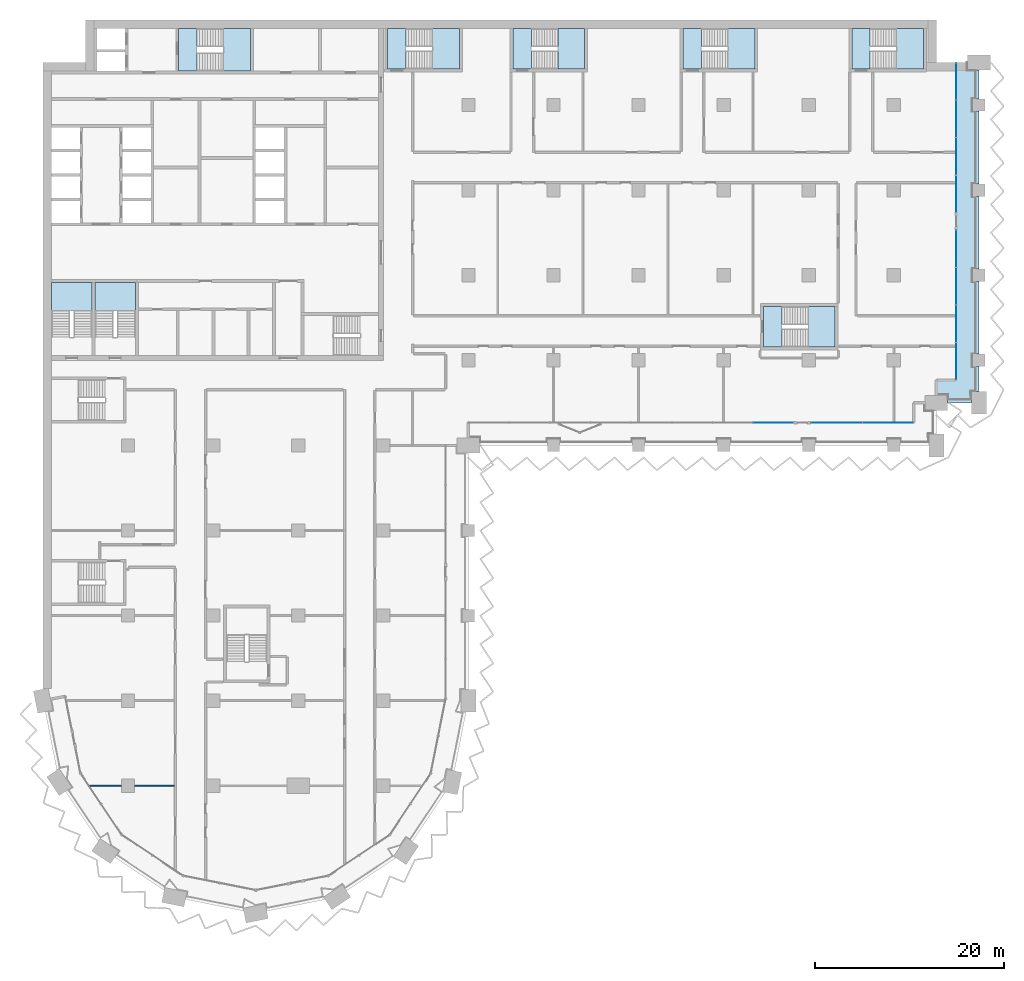
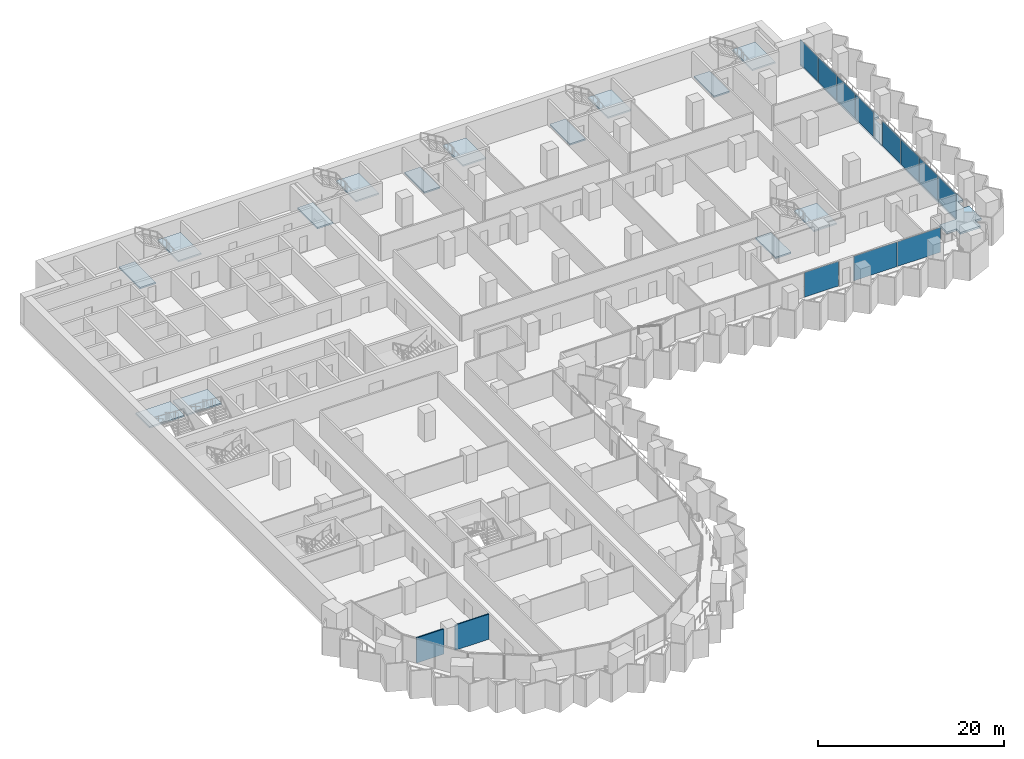
# One storey, part 9 of 28: 15 slabs, 11 plates, 2 walls, 12 elements without a shape of their own.
"""IFC4 building model written with IfcOpenShell, lengths in metres."""

from ifc_helpers import new_model, si_unit, direction, frame, frame_2d, origin, origin_2d, place, context, subcontext, project, spatial, polyline, rectangle, outline, extrude, material, layer, layer_set, type_object, element, aggregate, save


model = new_model("IFC4")

# Units and contexts
model_context = context("Model", 3, precision=1e-05, world=origin(), true_north=direction((0.0, 1.0)))
body_context = subcontext(model_context, "Body", "Model", "MODEL_VIEW")
ifc_project = project(units=[si_unit("LENGTHUNIT", "METRE"), si_unit("AREAUNIT", "SQUARE_METRE"), si_unit("VOLUMEUNIT", "CUBIC_METRE"), si_unit("PLANEANGLEUNIT", "RADIAN"), si_unit("MASSUNIT", "GRAM", prefix="KILO")], contexts=[model_context])

# Site, building, storey
site_placement = place(None, origin())
site = spatial("IfcSite", under=ifc_project, at=site_placement, CompositionType="ELEMENT")
building_placement = place(site_placement, origin())
building = spatial("IfcBuilding", under=site, at=building_placement, Name="Hunhe Ridgeline Campus", CompositionType="ELEMENT")
storey_placement = place(building_placement, frame((0.0, 0.0, 35.800048828125)))
storey = spatial("IfcBuildingStorey", under=building, at=storey_placement, Name="L07", CompositionType="ELEMENT", Elevation=35.800048828125)

# Curtain wall, plate
ifc_material_1 = material(Name="Aluminium 6063", Category="aluminium")
curtain_wall_type = type_object("IfcCurtainWallType", Name="Curtain wall CW-1", PredefinedType="NOTDEFINED", material=ifc_material_1)
curtain_wall_1_placement = place(storey_placement, origin())
curtain_wall_1 = element("IfcCurtainWall", 1, at=curtain_wall_1_placement, inside=storey, type_object=curtain_wall_type, Name="Curtain wall 13", PredefinedType="NOTDEFINED")
ifc_material_2 = material(Name="Low-e laminated glass", Category="glass")
ifc_layer_1 = layer(ifc_material_2, 0.028076171875)
ifc_layer_set_1 = layer_set([ifc_layer_1], Name="Curtain wall glass panel 28 low-e laminated")
plate_type = type_object("IfcPlateType", Name="Curtain wall glass panel 28 low-e laminated", PredefinedType="CURTAIN_PANEL", material=ifc_layer_set_1)
plate_1_placement = place(storey_placement, frame((77.257568359375, 56.40087890625, 0.0), z_axis=(0.0, 0.0, 1.0), x_axis=(0.999999999994, 3.602063e-06, 0.0)))
plate_1 = element("IfcPlate", 2, at=plate_1_placement, type_object=plate_type, Name="CW-1 panel 8", PredefinedType="CURTAIN_PANEL", context=body_context, shape_type="SweptSolid", body=[
    extrude(rectangle(XDim=4.213134765625, YDim=0.028076171875, at=origin_2d()), origin(), (0.0, 0.0, 1.0), 3.239990234375),
])
aggregate(curtain_wall_1, [plate_1])

# Curtain wall, plates
curtain_wall_2_placement = place(storey_placement, origin())
curtain_wall_2 = element("IfcCurtainWall", 3, at=curtain_wall_2_placement, inside=storey, type_object=curtain_wall_type, Name="Curtain wall 14", PredefinedType="NOTDEFINED")
plate_2_placement = place(storey_placement, frame((83.957763671875, 56.40087890625, 0.0), z_axis=(0.0, 0.0, 1.0), x_axis=(0.999999999994, 3.58625e-06, 0.0)))
plate_2 = element("IfcPlate", 4, at=plate_2_placement, type_object=plate_type, Name="CW-1 panel 1", PredefinedType="CURTAIN_PANEL", context=body_context, shape_type="SweptSolid", body=[
    extrude(rectangle(XDim=5.347412109375, YDim=0.028076171875, at=origin_2d()), origin(), (0.0, 0.0, 1.0), 3.239990234375),
])
plate_3_placement = place(storey_placement, frame((89.365234375, 56.40087890625, 0.0), z_axis=(0.0, 0.0, 1.0), x_axis=(0.999999999994, 3.58625e-06, 0.0)))
plate_3 = element("IfcPlate", 5, at=plate_3_placement, type_object=plate_type, Name="CW-1 panel 2", PredefinedType="CURTAIN_PANEL", context=body_context, shape_type="SweptSolid", body=[
    extrude(rectangle(XDim=5.347412109375, YDim=0.028076171875, at=origin_2d()), origin(), (0.0, 0.0, 1.0), 3.239990234375),
])
aggregate(curtain_wall_2, [plate_2, plate_3])

curtain_wall_3_placement = place(storey_placement, origin())
curtain_wall_3 = element("IfcCurtainWall", 6, at=curtain_wall_3_placement, inside=storey, type_object=curtain_wall_type, Name="Curtain wall 15", PredefinedType="NOTDEFINED")
plate_4_placement = place(storey_placement, frame((96.59912109375, 62.9033203125, 0.0), z_axis=(0.0, 0.0, 1.0), x_axis=(0.0, 1.0, 0.0)))
plate_4 = element("IfcPlate", 7, at=plate_4_placement, type_object=plate_type, Name="CW-1 panel 1", PredefinedType="CURTAIN_PANEL", context=body_context, shape_type="SweptSolid", body=[
    extrude(rectangle(XDim=3.884765625, YDim=0.028076171875, at=origin_2d()), origin(), (0.0, 0.0, 1.0), 3.239990234375),
])
plate_5_placement = place(storey_placement, frame((96.59912109375, 66.86328125, 0.0), z_axis=(0.0, 0.0, 1.0), x_axis=(0.0, 1.0, 0.0)))
plate_5 = element("IfcPlate", 8, at=plate_5_placement, type_object=plate_type, Name="CW-1 panel 2", PredefinedType="CURTAIN_PANEL", context=body_context, shape_type="SweptSolid", body=[
    extrude(rectangle(XDim=3.914794921875, YDim=0.028076171875, at=origin_2d()), origin(), (0.0, 0.0, 1.0), 3.239990234375),
])
plate_6_placement = place(storey_placement, frame((96.59912109375, 70.838134765625, 0.0), z_axis=(0.0, 0.0, 1.0), x_axis=(0.0, 1.0, 0.0)))
plate_6 = element("IfcPlate", 9, at=plate_6_placement, type_object=plate_type, Name="CW-1 panel 3", PredefinedType="CURTAIN_PANEL", context=body_context, shape_type="SweptSolid", body=[
    extrude(rectangle(XDim=3.914794921875, YDim=0.028076171875, at=origin_2d()), origin(), (0.0, 0.0, 1.0), 3.239990234375),
])
plate_7_placement = place(storey_placement, frame((96.59912109375, 74.798095703125, 0.0), z_axis=(0.0, 0.0, 1.0), x_axis=(0.0, 1.0, 0.0)))
plate_7 = element("IfcPlate", 10, at=plate_7_placement, type_object=plate_type, Name="CW-1 panel 4", PredefinedType="CURTAIN_PANEL", context=body_context, shape_type="SweptSolid", body=[
    extrude(rectangle(XDim=3.884765625, YDim=0.028076171875, at=origin_2d()), origin(), (0.0, 0.0, 1.0), 3.239990234375),
])
aggregate(curtain_wall_3, [plate_4, plate_5, plate_6, plate_7])

curtain_wall_4_placement = place(storey_placement, origin())
curtain_wall_4 = element("IfcCurtainWall", 11, at=curtain_wall_4_placement, inside=storey, type_object=curtain_wall_type, Name="Curtain wall 16", PredefinedType="NOTDEFINED")
plate_8_placement = place(storey_placement, frame((96.59912109375, 80.60302734375, 0.0), z_axis=(0.0, 0.0, 1.0), x_axis=(0.0, 1.0, 0.0)))
plate_8 = element("IfcPlate", 12, at=plate_8_placement, type_object=plate_type, Name="CW-1 panel 1", PredefinedType="CURTAIN_PANEL", context=body_context, shape_type="SweptSolid", body=[
    extrude(rectangle(XDim=3.884765625, YDim=0.028076171875, at=origin_2d()), origin(), (0.0, 0.0, 1.0), 3.239990234375),
])
plate_9_placement = place(storey_placement, frame((96.59912109375, 84.562744140625, 0.0), z_axis=(0.0, 0.0, 1.0), x_axis=(0.0, 1.0, 0.0)))
plate_9 = element("IfcPlate", 13, at=plate_9_placement, type_object=plate_type, Name="CW-1 panel 2", PredefinedType="CURTAIN_PANEL", context=body_context, shape_type="SweptSolid", body=[
    extrude(rectangle(XDim=3.914794921875, YDim=0.028076171875, at=origin_2d()), origin(), (0.0, 0.0, 1.0), 3.239990234375),
])
plate_10_placement = place(storey_placement, frame((96.59912109375, 88.53759765625, 0.0), z_axis=(0.0, 0.0, 1.0), x_axis=(0.0, 1.0, 0.0)))
plate_10 = element("IfcPlate", 14, at=plate_10_placement, type_object=plate_type, Name="CW-1 panel 3", PredefinedType="CURTAIN_PANEL", context=body_context, shape_type="SweptSolid", body=[
    extrude(rectangle(XDim=3.914794921875, YDim=0.028076171875, at=origin_2d()), origin(), (0.0, 0.0, 1.0), 3.239990234375),
])
plate_11_placement = place(storey_placement, frame((96.59912109375, 92.49755859375, 0.0), z_axis=(0.0, 0.0, 1.0), x_axis=(0.0, 1.0, 0.0)))
plate_11 = element("IfcPlate", 15, at=plate_11_placement, type_object=plate_type, Name="CW-1 panel 4", PredefinedType="CURTAIN_PANEL", context=body_context, shape_type="SweptSolid", body=[
    extrude(rectangle(XDim=3.884765625, YDim=0.028076171875, at=origin_2d()), origin(), (0.0, 0.0, 1.0), 3.239990234375),
])
aggregate(curtain_wall_4, [plate_8, plate_9, plate_10, plate_11])

# Slab
ifc_material_3 = material(Name="Concrete C40", Category="concrete")
ifc_layer_2 = layer(ifc_material_3, 0.25)
ifc_layer_set_2 = layer_set([ifc_layer_2], Name="Loggia slab 250 Concrete C40")
slab_type_1 = type_object("IfcSlabType", Name="Loggia slab 250 Concrete C40", PredefinedType="FLOOR", material=ifc_layer_set_2)
slab_1_placement = place(storey_placement, frame((0.0, 0.0, -0.25)))
element("IfcSlab", 16, at=slab_1_placement, inside=storey, type_object=slab_type_1, Name="Loggia slab 3", PredefinedType="FLOOR", context=body_context, shape_type="SweptSolid", body=[
    extrude(outline(polyline([(94.5, 59.300048828125), (95.699951171875, 59.300048828125), (95.699951171875, 58.5), (98.199951171875, 58.5), (98.199951171875, 59.699951171875), (99.0, 59.699951171875), (99.0, 62.35009765625), (98.35009765625, 62.35009765625), (98.35009765625, 63.64990234375), (99.0, 63.64990234375), (99.0, 71.35009765625), (98.35009765625, 71.35009765625), (98.35009765625, 72.64990234375), (99.0, 72.64990234375), (99.0, 80.35009765625), (98.35009765625, 80.35009765625), (98.35009765625, 81.64990234375), (99.0, 81.64990234375), (99.0, 89.35009765625), (98.35009765625, 89.35009765625), (98.35009765625, 90.64990234375), (99.0, 90.64990234375), (99.0, 93.699951171875), (97.800048828125, 93.699951171875), (97.800048828125, 94.5), (96.60009765625, 94.5), (96.60009765625, 60.89990234375), (94.5, 60.89990234375), (94.5, 59.300048828125)])), origin(), (0.0, 0.0, 1.0), 0.25),
])

# Stair, slab
stair_type = type_object("IfcStairType", Name="Reinforced concrete dog-leg stair 1950 Concrete C40", PredefinedType="HALF_TURN_STAIR", material=ifc_material_3)
stair_1_placement = place(storey_placement, origin())
stair_1 = element("IfcStair", 17, at=stair_1_placement, inside=storey, type_object=stair_type, Name="L07 S1", PredefinedType="HALF_TURN_STAIR")
ifc_layer_3 = layer(ifc_material_3, 0.199951171875)
ifc_layer_set_3 = layer_set([ifc_layer_3], Name="Reinforced concrete stair landing 200 Concrete C40")
slab_type_2 = type_object("IfcSlabType", Name="Reinforced concrete stair landing 200 Concrete C40", PredefinedType="LANDING", material=ifc_layer_set_3)
slab_2_placement = place(storey_placement, frame((0.0, 0.0, 1.64990234375)))
slab_2 = element("IfcSlab", 18, at=slab_2_placement, type_object=slab_type_2, Name="ST1 landing 1", PredefinedType="LANDING", context=body_context, shape_type="SweptSolid", body=[
    extrude(outline(polyline([(19.10009765625, 93.60009765625), (21.949951171875, 93.60009765625), (21.949951171875, 98.10009765625), (19.10009765625, 98.10009765625), (19.10009765625, 93.60009765625)])), origin(), (0.0, 0.0, 1.0), 0.199951171875),
])
aggregate(stair_1, [slab_2])

# Slab
slab_3_placement = place(storey_placement, frame((0.0, 0.0, -0.199951171875)))
element("IfcSlab", 19, at=slab_3_placement, inside=storey, type_object=slab_type_2, Name="L07 stair S1 floor landing", PredefinedType="LANDING", context=body_context, shape_type="SweptSolid", body=[
    extrude(outline(polyline([(14.35009765625, 93.60009765625), (16.300048828125, 93.60009765625), (16.300048828125, 98.10009765625), (14.35009765625, 98.10009765625), (14.35009765625, 93.60009765625)])), origin(), (0.0, 0.0, 1.0), 0.199951171875),
])

# Stair, slab
stair_2_placement = place(storey_placement, origin())
stair_2 = element("IfcStair", 20, at=stair_2_placement, inside=storey, type_object=stair_type, Name="L07 S3", PredefinedType="HALF_TURN_STAIR")
slab_4_placement = place(storey_placement, frame((0.0, 0.0, 1.64990234375)))
slab_4 = element("IfcSlab", 21, at=slab_4_placement, type_object=slab_type_2, Name="ST3 landing 1", PredefinedType="LANDING", context=body_context, shape_type="SweptSolid", body=[
    extrude(outline(polyline([(5.199951171875, 68.25), (5.199951171875, 71.25), (0.89990234375, 71.25), (0.89990234375, 68.25), (5.199951171875, 68.25)])), origin(), (0.0, 0.0, 1.0), 0.199951171875),
])
aggregate(stair_2, [slab_4])

stair_3_placement = place(storey_placement, origin())
stair_3 = element("IfcStair", 22, at=stair_3_placement, inside=storey, type_object=stair_type, Name="L07 S4", PredefinedType="HALF_TURN_STAIR")
slab_5_placement = place(storey_placement, frame((0.0, 0.0, 1.64990234375)))
slab_5 = element("IfcSlab", 23, at=slab_5_placement, type_object=slab_type_2, Name="ST4 landing 1", PredefinedType="LANDING", context=body_context, shape_type="SweptSolid", body=[
    extrude(outline(polyline([(9.800048828125, 68.25), (9.800048828125, 71.25), (5.5, 71.25), (5.5, 68.25), (9.800048828125, 68.25)])), origin(), (0.0, 0.0, 1.0), 0.199951171875),
])
aggregate(stair_3, [slab_5])

stair_4_placement = place(storey_placement, origin())
stair_4 = element("IfcStair", 24, at=stair_4_placement, inside=storey, type_object=stair_type, Name="L07 E1", PredefinedType="HALF_TURN_STAIR")
slab_6_placement = place(storey_placement, frame((0.0, 0.0, 1.64990234375)))
slab_6 = element("IfcSlab", 25, at=slab_6_placement, type_object=slab_type_2, Name="ST5 landing 1", PredefinedType="LANDING", context=body_context, shape_type="SweptSolid", body=[
    extrude(outline(polyline([(41.199951171875, 93.800048828125), (44.050048828125, 93.800048828125), (44.050048828125, 98.10009765625), (41.199951171875, 98.10009765625), (41.199951171875, 93.800048828125)])), origin(), (0.0, 0.0, 1.0), 0.199951171875),
])
aggregate(stair_4, [slab_6])

# Slab
slab_7_placement = place(storey_placement, frame((0.0, 0.0, -0.199951171875)))
element("IfcSlab", 26, at=slab_7_placement, inside=storey, type_object=slab_type_2, Name="L07 stair E1 floor landing", PredefinedType="LANDING", context=body_context, shape_type="SweptSolid", body=[
    extrude(outline(polyline([(36.449951171875, 93.800048828125), (38.39990234375, 93.800048828125), (38.39990234375, 98.10009765625), (36.449951171875, 98.10009765625), (36.449951171875, 93.800048828125)])), origin(), (0.0, 0.0, 1.0), 0.199951171875),
])

# Stair, slab
stair_5_placement = place(storey_placement, origin())
stair_5 = element("IfcStair", 27, at=stair_5_placement, inside=storey, type_object=stair_type, Name="L07 E2", PredefinedType="HALF_TURN_STAIR")
slab_8_placement = place(storey_placement, frame((0.0, 0.0, 1.64990234375)))
slab_8 = element("IfcSlab", 28, at=slab_8_placement, type_object=slab_type_2, Name="ST6 landing 1", PredefinedType="LANDING", context=body_context, shape_type="SweptSolid", body=[
    extrude(outline(polyline([(54.449951171875, 93.800048828125), (57.300048828125, 93.800048828125), (57.300048828125, 98.10009765625), (54.449951171875, 98.10009765625), (54.449951171875, 93.800048828125)])), origin(), (0.0, 0.0, 1.0), 0.199951171875),
])
aggregate(stair_5, [slab_8])

# Slab
slab_9_placement = place(storey_placement, frame((0.0, 0.0, -0.199951171875)))
element("IfcSlab", 29, at=slab_9_placement, inside=storey, type_object=slab_type_2, Name="L07 stair E2 floor landing", PredefinedType="LANDING", context=body_context, shape_type="SweptSolid", body=[
    extrude(outline(polyline([(49.699951171875, 93.800048828125), (51.64990234375, 93.800048828125), (51.64990234375, 98.10009765625), (49.699951171875, 98.10009765625), (49.699951171875, 93.800048828125)])), origin(), (0.0, 0.0, 1.0), 0.199951171875),
])

# Stair, slab
stair_6_placement = place(storey_placement, origin())
stair_6 = element("IfcStair", 30, at=stair_6_placement, inside=storey, type_object=stair_type, Name="L07 E3", PredefinedType="HALF_TURN_STAIR")
slab_10_placement = place(storey_placement, frame((0.0, 0.0, 1.64990234375)))
slab_10 = element("IfcSlab", 31, at=slab_10_placement, type_object=slab_type_2, Name="ST7 landing 1", PredefinedType="LANDING", context=body_context, shape_type="SweptSolid", body=[
    extrude(outline(polyline([(72.449951171875, 93.800048828125), (75.300048828125, 93.800048828125), (75.300048828125, 98.10009765625), (72.449951171875, 98.10009765625), (72.449951171875, 93.800048828125)])), origin(), (0.0, 0.0, 1.0), 0.199951171875),
])
aggregate(stair_6, [slab_10])

# Slab
slab_11_placement = place(storey_placement, frame((0.0, 0.0, -0.199951171875)))
element("IfcSlab", 32, at=slab_11_placement, inside=storey, type_object=slab_type_2, Name="L07 stair E3 floor landing", PredefinedType="LANDING", context=body_context, shape_type="SweptSolid", body=[
    extrude(outline(polyline([(67.699951171875, 93.800048828125), (69.64990234375, 93.800048828125), (69.64990234375, 98.10009765625), (67.699951171875, 98.10009765625), (67.699951171875, 93.800048828125)])), origin(), (0.0, 0.0, 1.0), 0.199951171875),
])

# Stair, slab
stair_7_placement = place(storey_placement, origin())
stair_7 = element("IfcStair", 33, at=stair_7_placement, inside=storey, type_object=stair_type, Name="L07 E4", PredefinedType="HALF_TURN_STAIR")
slab_12_placement = place(storey_placement, frame((0.0, 0.0, 1.64990234375)))
slab_12 = element("IfcSlab", 34, at=slab_12_placement, type_object=slab_type_2, Name="ST8 landing 1", PredefinedType="LANDING", context=body_context, shape_type="SweptSolid", body=[
    extrude(outline(polyline([(90.300048828125, 93.800048828125), (93.14990234375, 93.800048828125), (93.14990234375, 98.10009765625), (90.300048828125, 98.10009765625), (90.300048828125, 93.800048828125)])), origin(), (0.0, 0.0, 1.0), 0.199951171875),
])
aggregate(stair_7, [slab_12])

# Slab
slab_13_placement = place(storey_placement, frame((0.0, 0.0, -0.199951171875)))
element("IfcSlab", 35, at=slab_13_placement, inside=storey, type_object=slab_type_2, Name="L07 stair E4 floor landing", PredefinedType="LANDING", context=body_context, shape_type="SweptSolid", body=[
    extrude(outline(polyline([(85.550048828125, 93.800048828125), (87.5, 93.800048828125), (87.5, 98.10009765625), (85.550048828125, 98.10009765625), (85.550048828125, 93.800048828125)])), origin(), (0.0, 0.0, 1.0), 0.199951171875),
])

# Stair, slab
stair_8_placement = place(storey_placement, origin())
stair_8 = element("IfcStair", 36, at=stair_8_placement, inside=storey, type_object=stair_type, Name="L07 E5", PredefinedType="HALF_TURN_STAIR")
slab_14_placement = place(storey_placement, frame((0.0, 0.0, 1.64990234375)))
slab_14 = element("IfcSlab", 37, at=slab_14_placement, type_object=slab_type_2, Name="ST10 landing 1", PredefinedType="LANDING", context=body_context, shape_type="SweptSolid", body=[
    extrude(outline(polyline([(80.949951171875, 64.39990234375), (83.800048828125, 64.39990234375), (83.800048828125, 68.699951171875), (80.949951171875, 68.699951171875), (80.949951171875, 64.39990234375)])), origin(), (0.0, 0.0, 1.0), 0.199951171875),
])
aggregate(stair_8, [slab_14])

# Slab
slab_15_placement = place(storey_placement, frame((0.0, 0.0, -0.199951171875)))
element("IfcSlab", 38, at=slab_15_placement, inside=storey, type_object=slab_type_2, Name="L07 stair E5 floor landing", PredefinedType="LANDING", context=body_context, shape_type="SweptSolid", body=[
    extrude(outline(polyline([(76.199951171875, 64.39990234375), (78.14990234375, 64.39990234375), (78.14990234375, 68.699951171875), (76.199951171875, 68.699951171875), (76.199951171875, 64.39990234375)])), origin(), (0.0, 0.0, 1.0), 0.199951171875),
])

# Walls
ifc_material_4 = material(Name="Gypsum board partition")
ifc_layer_4 = layer(ifc_material_4, 0.14990234375)
ifc_layer_set_4 = layer_set([ifc_layer_4], Name="Room partition 150 gypsum board on steel studs")
wall_type = type_object("IfcWallType", Name="Room partition 150 gypsum board on steel studs", PredefinedType="PARTITIONING", material=ifc_layer_set_4)
wall_1_placement = place(storey_placement, frame((4.925537109375, 18.0, 0.0), z_axis=(0.0, 0.0, 1.0), x_axis=(1.0, 0.0, 0.0)))
element("IfcWall", 39, at=wall_1_placement, inside=storey, type_object=wall_type, Name="F-L07-wall-001", PredefinedType="PARTITIONING", context=body_context, shape_type="SweptSolid", body=[
    extrude(rectangle(XDim=3.37451171875, YDim=0.14990234375, at=frame_2d((1.687255859375, 0.0))), origin(), (0.0, 0.0, 1.0), 3.300048828125),
])
wall_2_placement = place(storey_placement, frame((9.699951171875, 18.0, 0.0), z_axis=(0.0, 0.0, 1.0), x_axis=(1.0, 0.0, 0.0)))
element("IfcWall", 40, at=wall_2_placement, inside=storey, type_object=wall_type, Name="F-L07-wall-002", PredefinedType="PARTITIONING", context=body_context, shape_type="SweptSolid", body=[
    extrude(rectangle(XDim=4.199951171875, YDim=0.14990234375, at=frame_2d((2.10009765625, 0.0))), origin(), (0.0, 0.0, 1.0), 3.300048828125),
])

save(model, "model.ifc")
